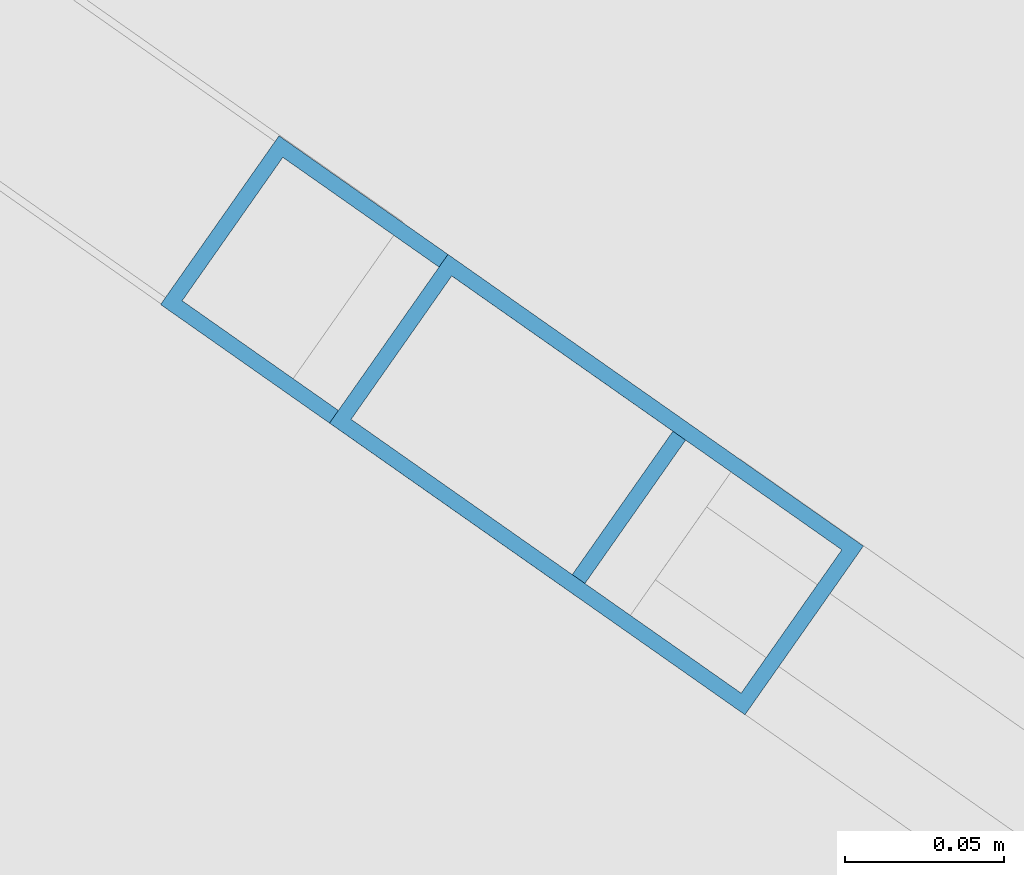
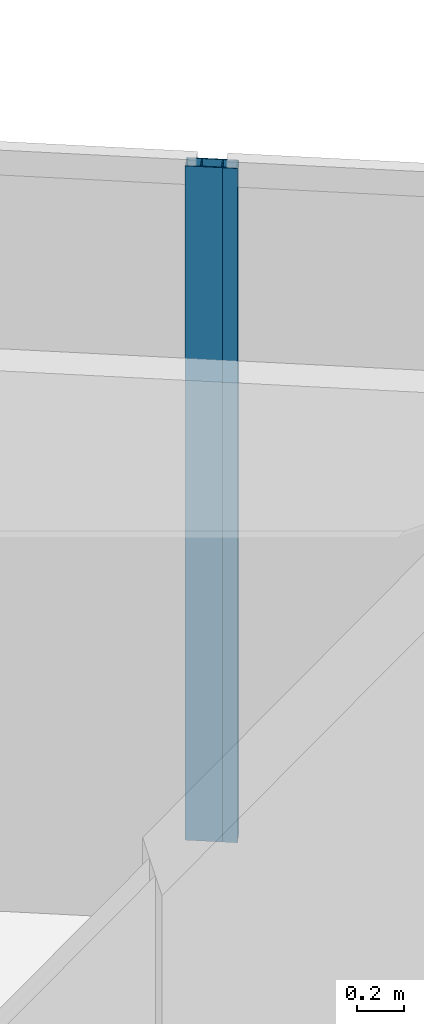
# One storey, part 12 of 24: 2 members, 2 elements without a shape of their own.
"""IFC4 building model written with IfcOpenShell, lengths in metres."""

from ifc_helpers import new_model, si_unit, direction, frame, origin, origin_2d, place, context, subcontext, project, spatial, hollow_rectangle, extrude, material, layer, layer_set, material_profile, profile_set, type_object, element, aggregate, save


model = new_model("IFC4")

# Units and contexts
model_context = context("Model", 3, precision=1e-05, world=origin(), true_north=direction((0.0, 1.0)))
body_context = subcontext(model_context, "Body", "Model", "MODEL_VIEW")
ifc_project = project(units=[si_unit("LENGTHUNIT", "METRE"), si_unit("AREAUNIT", "SQUARE_METRE"), si_unit("VOLUMEUNIT", "CUBIC_METRE"), si_unit("PLANEANGLEUNIT", "RADIAN"), si_unit("MASSUNIT", "GRAM", prefix="KILO")], contexts=[model_context])

# Site, building, storey
site_placement = place(None, origin())
site = spatial("IfcSite", under=ifc_project, at=site_placement, CompositionType="ELEMENT")
building_placement = place(site_placement, origin())
building = spatial("IfcBuilding", under=site, at=building_placement, Name="Qianvela Tower", CompositionType="ELEMENT")
storey_placement = place(building_placement, frame((0.0, 0.0, 101.5)))
storey = spatial("IfcBuildingStorey", under=building, at=storey_placement, Name="L25", CompositionType="ELEMENT", Elevation=101.5)

# Curtain wall, member
ifc_material_1 = material(Name="Anodised Architectural Aluminium and Insulated Spandrel Panel", Category="aluminium")
ifc_layer_1 = layer(ifc_material_1, 0.179931640625)
ifc_layer_set_1 = layer_set([ifc_layer_1], Name="Anodised Architectural Aluminium and Insulated Spandrel Panel")
curtain_wall_type_1 = type_object("IfcCurtainWallType", Name="CW-BRACEBAY", PredefinedType="USERDEFINED", material=ifc_layer_set_1)
curtain_wall_1_placement = place(storey_placement, origin())
curtain_wall_1 = element("IfcCurtainWall", 1, at=curtain_wall_1_placement, inside=storey, type_object=curtain_wall_type_1, Name="L25 CW-BRACEBAY Curtain Wall 02B", ObjectType="CURTAIN_WALL_SYSTEM", PredefinedType="USERDEFINED")
ifc_material_2 = material(Name="Anodised Architectural Aluminium 6063-T6", Category="aluminium")
ifc_material_profile_1 = material_profile(ifc_material_2, hollow_rectangle(XDim=0.06494140625, YDim=0.159912109375, WallThickness=0.0048828125, at=origin_2d()), Name="ALU-MULL-65x160")
ifc_profile_set_1 = profile_set([ifc_material_profile_1], Name="Anodised Architectural Aluminium 6063-T6")
member_type_1 = type_object("IfcMemberType", Name="CW-BRACEBAY-MULL", PredefinedType="MULLION", material=ifc_profile_set_1)
member_1_placement = place(storey_placement, frame((48.07568359375, 34.246826171875, 0.0), z_axis=(0.0, 0.0, 1.0), x_axis=(-0.574622053044, -0.81841890017, 0.0)))
member_1 = element("IfcMember", 2, at=member_1_placement, type_object=member_type_1, Name="CW-9 mullion 1", PredefinedType="MULLION", context=body_context, shape_type="SweptSolid", body=[
    extrude(hollow_rectangle(XDim=0.06494140625, YDim=0.159912109375, WallThickness=0.0048828125, at=origin_2d()), origin(), (0.0, 0.0, 1.0), 3.52001953125),
])
aggregate(curtain_wall_1, [member_1])

ifc_material_3 = material(Name="Anodised Architectural Aluminium and Low-E Glass", Category="aluminium")
ifc_layer_2 = layer(ifc_material_3, 0.169921875)
ifc_layer_set_2 = layer_set([ifc_layer_2], Name="Anodised Architectural Aluminium and Low-E Glass")
curtain_wall_type_2 = type_object("IfcCurtainWallType", Name="CW-COLIV-Z34", PredefinedType="USERDEFINED", material=ifc_layer_set_2)
curtain_wall_2_placement = place(storey_placement, origin())
curtain_wall_2 = element("IfcCurtainWall", 3, at=curtain_wall_2_placement, inside=storey, type_object=curtain_wall_type_2, Name="L25 CW-COLIV-Z34 Curtain Wall 02A", ObjectType="CURTAIN_WALL_SYSTEM", PredefinedType="USERDEFINED")
ifc_material_4 = material(Name="Anodised Architectural Aluminium 6063-T6", Category="aluminium")
ifc_material_profile_2 = material_profile(ifc_material_4, hollow_rectangle(XDim=0.06494140625, YDim=0.159912109375, WallThickness=0.0048828125, at=origin_2d()), Name="ALU-MULL-65x160")
ifc_profile_set_2 = profile_set([ifc_material_profile_2], Name="Anodised Architectural Aluminium 6063-T6")
member_type_2 = type_object("IfcMemberType", Name="CW-COLIV-Z34-MULL", PredefinedType="MULLION", material=ifc_profile_set_2)
member_2_placement = place(storey_placement, frame((48.12890625, 34.20947265625, 0.0), z_axis=(0.0, 0.0, 1.0), x_axis=(-0.574622174545, -0.818418814863, 0.0)))
member_2 = element("IfcMember", 4, at=member_2_placement, type_object=member_type_2, Name="CW-4 mullion 3", PredefinedType="MULLION", context=body_context, shape_type="SweptSolid", body=[
    extrude(hollow_rectangle(XDim=0.06494140625, YDim=0.159912109375, WallThickness=0.0048828125, at=origin_2d()), origin(), (0.0, 0.0, 1.0), 3.52001953125),
])
aggregate(curtain_wall_2, [member_2])

save(model, "model.ifc")
